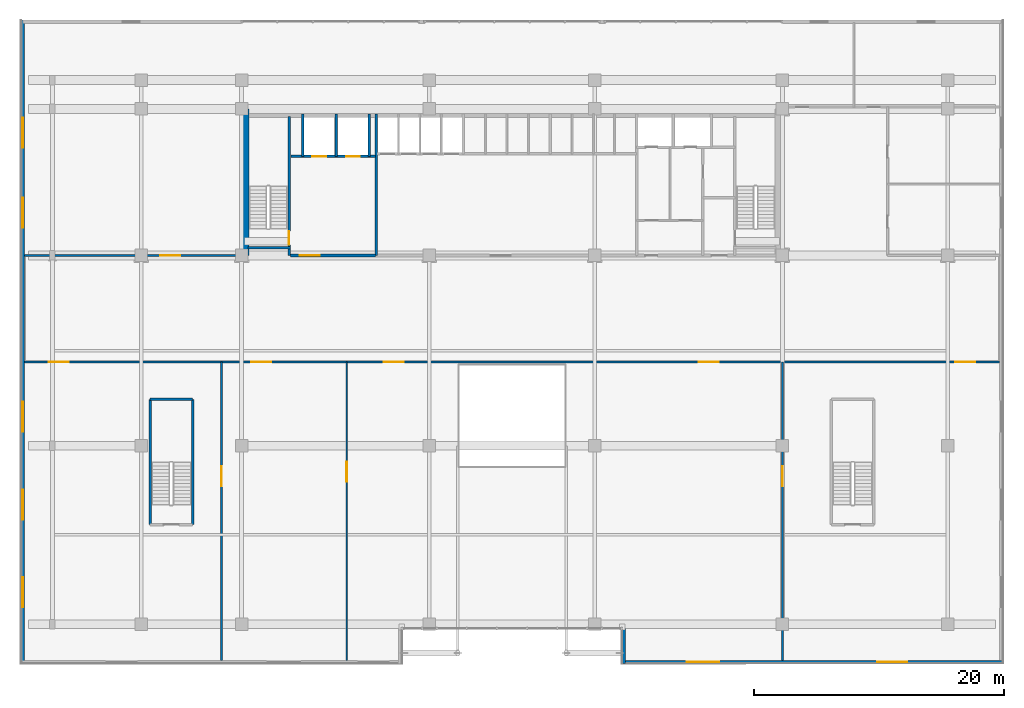
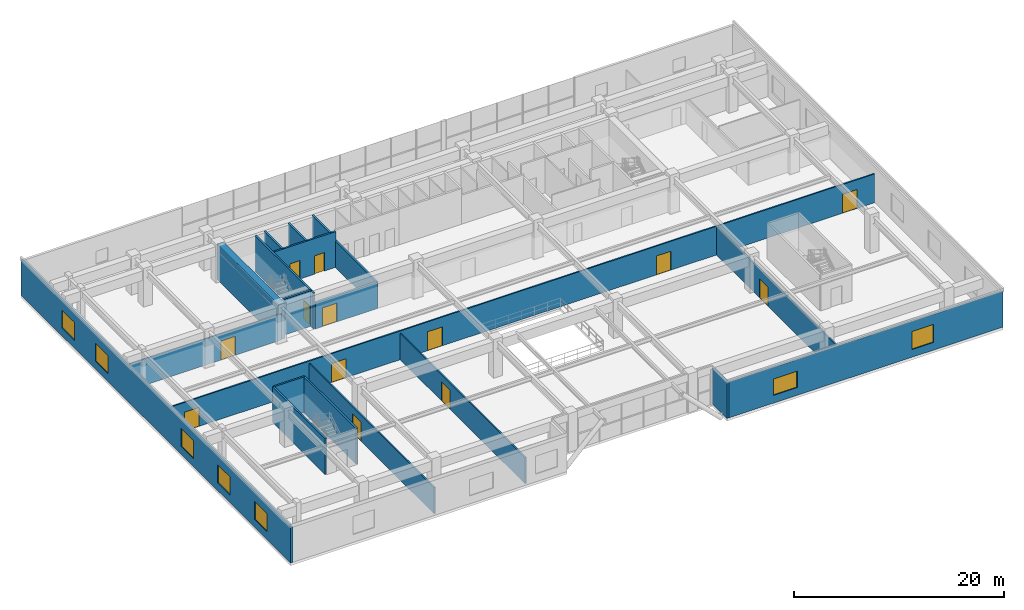
# One storey, part 13 of 21: 20 walls, 13 doors, 7 windows, 20 openings.
"""IFC4 building model written with IfcOpenShell, lengths in metres."""

from ifc_helpers import new_model, si_unit, direction, frame, frame_2d, origin, place, context, subcontext, project, spatial, rectangle, extrude, source, transform, mapped, material, layer, layer_set, type_object, element, fill, save


model = new_model("IFC4")

# Units and contexts
model_context = context("Model", 3, precision=1e-05, world=origin(), true_north=direction((0.0, 1.0)))
body_context = subcontext(model_context, "Body", "Model", "MODEL_VIEW")
ifc_project = project(units=[si_unit("LENGTHUNIT", "METRE"), si_unit("AREAUNIT", "SQUARE_METRE"), si_unit("VOLUMEUNIT", "CUBIC_METRE"), si_unit("PLANEANGLEUNIT", "RADIAN"), si_unit("MASSUNIT", "GRAM", prefix="KILO")], contexts=[model_context])

# Site, building, storey
site_placement = place(None, origin())
site = spatial("IfcSite", under=ifc_project, at=site_placement, CompositionType="ELEMENT")
building_placement = place(site_placement, origin())
building = spatial("IfcBuilding", under=site, at=building_placement, Name="Trelvane Seafront Commons", CompositionType="ELEMENT")
storey_placement = place(building_placement, frame((0.0, 0.0, 14.199951171875)))
storey = spatial("IfcBuildingStorey", under=building, at=storey_placement, Name="L03", CompositionType="ELEMENT", Elevation=14.199951171875)

# Wall, openings, windows
ifc_material_1 = material(Name="Precast concrete C40/50", Category="concrete")
ifc_layer_1 = layer(ifc_material_1, 0.260009765625, Name="ARCH-WALL-EXT260")
ifc_layer_set_1 = layer_set([ifc_layer_1], Name="Precast concrete C40/50")
wall_type_1 = type_object("IfcWallType", Name="ARCH-WALL-EXT260", PredefinedType="SOLIDWALL", material=ifc_layer_set_1)
wall_1_placement = place(storey_placement, frame((76.39990234375, 0.929931640625, 0.0), z_axis=(0.0, 0.0, 1.0), x_axis=(-1.0, 0.0, 0.0)))
wall_1 = element("IfcWall", 1, at=wall_1_placement, inside=storey, type_object=wall_type_1, Name="EW-L03-00030", PredefinedType="SOLIDWALL", context=body_context, shape_type="SweptSolid", body=[
    extrude(rectangle(XDim=30.39990234375, YDim=0.260009765625, at=frame_2d((15.199951171875, 0.0))), origin(), (0.0, 0.0, 1.0), 4.150146484375),
])
opening_1_placement = place(wall_1_placement, frame((7.64501953125, 0.0, 0.89990234375)))
opening_1 = element("IfcOpeningElement", 2, at=opening_1_placement, cuts=wall_1, Name="Opening W08", PredefinedType="OPENING", context=body_context, shape_type="SweptSolid", body=[
    extrude(rectangle(XDim=2.39990234375, YDim=2.10009765625, at=frame_2d((1.199951171875, 1.050048828125))), frame((0.0, 0.139892578125, 0.0), z_axis=(0.0, -1.0, 0.0), x_axis=(1.0, 0.0, 0.0)), (0.0, 0.0, 1.0), 0.280029296875),
])
opening_2_placement = place(wall_1_placement, frame((22.655029296875, 0.0, 0.89990234375)))
opening_2 = element("IfcOpeningElement", 3, at=opening_2_placement, cuts=wall_1, Name="Opening W04", PredefinedType="OPENING", context=body_context, shape_type="SweptSolid", body=[
    extrude(rectangle(XDim=2.60009765625, YDim=1.89990234375, at=frame_2d((1.300048828125, 0.949951171875))), frame((0.0, 0.139892578125, 0.0), z_axis=(0.0, -1.0, 0.0), x_axis=(1.0, 0.0, 0.0)), (0.0, 0.0, 1.0), 0.280029296875),
])
ifc_material_2 = material(Name="Low-E coastal double glazing", Category="glass")
window_type_1 = type_object("IfcWindowType", Name="ARCH-WIN-W08", PartitioningType="SINGLE_PANEL", PredefinedType="WINDOW", material=ifc_material_2)
shared_shape_1 = source(origin(), body_context, "Body", "SweptSolid", [
    extrude(rectangle(XDim=2.39990234375, YDim=2.10009765625, at=frame_2d((1.199951171875, 1.050048828125))), frame((0.0, 0.030029296875, 0.0), z_axis=(0.0, -1.0, 0.0), x_axis=(1.0, 0.0, 0.0)), (0.0, 0.0, 1.0), 0.06005859375),
])
window_1_placement = place(opening_1_placement, origin())
window_1 = element("IfcWindow", 4, at=window_1_placement, inside=storey, type_object=window_type_1, Name="WIN-L03-00046", OverallHeight=2.10009765625, OverallWidth=2.39990234375, PartitioningType="SINGLE_PANEL", PredefinedType="WINDOW", context=body_context, shape_type="MappedRepresentation", body=[
    mapped(shared_shape_1, transform((0.0, 0.0, 0.0), x_axis=(1.0, 0.0, 0.0), y_axis=(0.0, 1.0, 0.0), z_axis=(0.0, 0.0, 1.0), scale=1.0)),
])
fill(opening_1, window_1)
window_type_2 = type_object("IfcWindowType", Name="ARCH-WIN-W04", PartitioningType="SINGLE_PANEL", PredefinedType="WINDOW", material=ifc_material_2)
shared_shape_2 = source(origin(), body_context, "Body", "SweptSolid", [
    extrude(rectangle(XDim=2.60009765625, YDim=1.89990234375, at=frame_2d((1.300048828125, 0.949951171875))), frame((0.0, 0.030029296875, 0.0), z_axis=(0.0, -1.0, 0.0), x_axis=(1.0, 0.0, 0.0)), (0.0, 0.0, 1.0), 0.06005859375),
])
window_2_placement = place(opening_2_placement, origin())
window_2 = element("IfcWindow", 5, at=window_2_placement, inside=storey, type_object=window_type_2, Name="WIN-L03-00047", OverallHeight=1.89990234375, OverallWidth=2.60009765625, PartitioningType="SINGLE_PANEL", PredefinedType="WINDOW", context=body_context, shape_type="MappedRepresentation", body=[
    mapped(shared_shape_2, transform((0.0, 0.0, 0.0), x_axis=(1.0, 0.0, 0.0), y_axis=(0.0, 1.0, 0.0), z_axis=(0.0, 0.0, 1.0), scale=1.0)),
])
fill(opening_2, window_2)

# Wall
wall_2_placement = place(storey_placement, frame((46.1298828125, 0.800048828125, 0.0), z_axis=(0.0, 0.0, 1.0), x_axis=(0.0, 1.0, 0.0)))
element("IfcWall", 6, at=wall_2_placement, inside=storey, type_object=wall_type_1, Name="EW-L03-00031", PredefinedType="SOLIDWALL", context=body_context, shape_type="SweptSolid", body=[
    extrude(rectangle(XDim=2.800048828125, YDim=0.260009765625, at=frame_2d((1.39990234375, 0.0))), origin(), (0.0, 0.0, 1.0), 4.150146484375),
])

# Wall, openings, windows
wall_3_placement = place(storey_placement, frame((-1.8701171875, 0.800048828125, 0.0), z_axis=(0.0, 0.0, 1.0), x_axis=(0.0, 1.0, 0.0)))
wall_3 = element("IfcWall", 7, at=wall_3_placement, inside=storey, type_object=wall_type_1, Name="EW-L03-00034", PredefinedType="SOLIDWALL", context=body_context, shape_type="SweptSolid", body=[
    extrude(rectangle(XDim=51.39990234375, YDim=0.260009765625, at=frame_2d((25.699951171875, 0.0))), origin(), (0.0, 0.0, 1.0), 4.150146484375),
])
opening_3_placement = place(wall_3_placement, frame((4.5, 0.0, 0.919921875)))
opening_3 = element("IfcOpeningElement", 8, at=opening_3_placement, cuts=wall_3, Name="Opening W08", PredefinedType="OPENING", context=body_context, shape_type="SweptSolid", body=[
    extrude(rectangle(XDim=2.39990234375, YDim=2.10009765625, at=frame_2d((1.199951171875, 1.050048828125))), frame((0.0, 0.139892578125, 0.0), z_axis=(0.0, -1.0, 0.0), x_axis=(1.0, 0.0, 0.0)), (0.0, 0.0, 1.0), 0.280029296875),
])
opening_4_placement = place(wall_3_placement, frame((11.5, 0.0, 0.919921875)))
opening_4 = element("IfcOpeningElement", 9, at=opening_4_placement, cuts=wall_3, Name="Opening W08", PredefinedType="OPENING", context=body_context, shape_type="SweptSolid", body=[
    extrude(rectangle(XDim=2.39990234375, YDim=2.10009765625, at=frame_2d((1.199951171875, 1.050048828125))), frame((0.0, 0.139892578125, 0.0), z_axis=(0.0, -1.0, 0.0), x_axis=(1.0, 0.0, 0.0)), (0.0, 0.0, 1.0), 0.280029296875),
])
opening_5_placement = place(wall_3_placement, frame((18.5, 0.0, 0.919921875)))
opening_5 = element("IfcOpeningElement", 10, at=opening_5_placement, cuts=wall_3, Name="Opening W08", PredefinedType="OPENING", context=body_context, shape_type="SweptSolid", body=[
    extrude(rectangle(XDim=2.39990234375, YDim=2.10009765625, at=frame_2d((1.199951171875, 1.050048828125))), frame((0.0, 0.139892578125, 0.0), z_axis=(0.0, -1.0, 0.0), x_axis=(1.0, 0.0, 0.0)), (0.0, 0.0, 1.0), 0.280029296875),
])
opening_6_placement = place(wall_3_placement, frame((34.800048828125, 0.0, 0.919921875)))
opening_6 = element("IfcOpeningElement", 11, at=opening_6_placement, cuts=wall_3, Name="Opening W08", PredefinedType="OPENING", context=body_context, shape_type="SweptSolid", body=[
    extrude(rectangle(XDim=2.39990234375, YDim=2.10009765625, at=frame_2d((1.199951171875, 1.050048828125))), frame((0.0, 0.139892578125, 0.0), z_axis=(0.0, -1.0, 0.0), x_axis=(1.0, 0.0, 0.0)), (0.0, 0.0, 1.0), 0.280029296875),
])
opening_7_placement = place(wall_3_placement, frame((41.199951171875, 0.0, 0.919921875)))
opening_7 = element("IfcOpeningElement", 12, at=opening_7_placement, cuts=wall_3, Name="Opening W08", PredefinedType="OPENING", context=body_context, shape_type="SweptSolid", body=[
    extrude(rectangle(XDim=2.39990234375, YDim=2.10009765625, at=frame_2d((1.199951171875, 1.050048828125))), frame((0.0, 0.139892578125, 0.0), z_axis=(0.0, -1.0, 0.0), x_axis=(1.0, 0.0, 0.0)), (0.0, 0.0, 1.0), 0.280029296875),
])
window_3_placement = place(opening_3_placement, origin())
window_3 = element("IfcWindow", 13, at=window_3_placement, inside=storey, type_object=window_type_1, Name="WIN-L03-EW-00051", OverallHeight=2.10009765625, OverallWidth=2.39990234375, PartitioningType="SINGLE_PANEL", PredefinedType="WINDOW", context=body_context, shape_type="MappedRepresentation", body=[
    mapped(shared_shape_1, transform((0.0, 0.0, 0.0), x_axis=(1.0, 0.0, 0.0), y_axis=(0.0, 1.0, 0.0), z_axis=(0.0, 0.0, 1.0), scale=1.0)),
])
fill(opening_3, window_3)
window_4_placement = place(opening_4_placement, origin())
window_4 = element("IfcWindow", 14, at=window_4_placement, inside=storey, type_object=window_type_1, Name="WIN-L03-EW-00052", OverallHeight=2.10009765625, OverallWidth=2.39990234375, PartitioningType="SINGLE_PANEL", PredefinedType="WINDOW", context=body_context, shape_type="MappedRepresentation", body=[
    mapped(shared_shape_1, transform((0.0, 0.0, 0.0), x_axis=(1.0, 0.0, 0.0), y_axis=(0.0, 1.0, 0.0), z_axis=(0.0, 0.0, 1.0), scale=1.0)),
])
fill(opening_4, window_4)
window_5_placement = place(opening_5_placement, origin())
window_5 = element("IfcWindow", 15, at=window_5_placement, inside=storey, type_object=window_type_1, Name="WIN-L03-EW-00053", OverallHeight=2.10009765625, OverallWidth=2.39990234375, PartitioningType="SINGLE_PANEL", PredefinedType="WINDOW", context=body_context, shape_type="MappedRepresentation", body=[
    mapped(shared_shape_1, transform((0.0, 0.0, 0.0), x_axis=(1.0, 0.0, 0.0), y_axis=(0.0, 1.0, 0.0), z_axis=(0.0, 0.0, 1.0), scale=1.0)),
])
fill(opening_5, window_5)
window_6_placement = place(opening_6_placement, origin())
window_6 = element("IfcWindow", 16, at=window_6_placement, inside=storey, type_object=window_type_1, Name="WIN-L03-EW-00054", OverallHeight=2.10009765625, OverallWidth=2.39990234375, PartitioningType="SINGLE_PANEL", PredefinedType="WINDOW", context=body_context, shape_type="MappedRepresentation", body=[
    mapped(shared_shape_1, transform((0.0, 0.0, 0.0), x_axis=(1.0, 0.0, 0.0), y_axis=(0.0, 1.0, 0.0), z_axis=(0.0, 0.0, 1.0), scale=1.0)),
])
fill(opening_6, window_6)
window_7_placement = place(opening_7_placement, origin())
window_7 = element("IfcWindow", 17, at=window_7_placement, inside=storey, type_object=window_type_1, Name="WIN-L03-EW-00055", OverallHeight=2.10009765625, OverallWidth=2.39990234375, PartitioningType="SINGLE_PANEL", PredefinedType="WINDOW", context=body_context, shape_type="MappedRepresentation", body=[
    mapped(shared_shape_1, transform((0.0, 0.0, 0.0), x_axis=(1.0, 0.0, 0.0), y_axis=(0.0, 1.0, 0.0), z_axis=(0.0, 0.0, 1.0), scale=1.0)),
])
fill(opening_7, window_7)

# Wall, opening, door
ifc_material_3 = material(Name="Concrete C40/50", Category="concrete")
ifc_layer_2 = layer(ifc_material_3, 0.25, Name="ARCH-WALL-FIRE250")
ifc_layer_set_2 = layer_set([ifc_layer_2], Name="Concrete C40/50")
wall_type_2 = type_object("IfcWallType", Name="ARCH-WALL-FIRE250", PredefinedType="PARTITIONING", material=ifc_layer_set_2)
wall_4_placement = place(storey_placement, frame((19.5, 33.39990234375, 0.0), z_axis=(0.0, 0.0, 1.0), x_axis=(1.0, 0.0, 0.0)))
wall_4 = element("IfcWall", 18, at=wall_4_placement, inside=storey, type_object=wall_type_2, Name="W-L03-CS-FFL-021", PredefinedType="PARTITIONING", context=body_context, shape_type="SweptSolid", body=[
    extrude(rectangle(XDim=6.800048828125, YDim=0.25, at=frame_2d((3.39990234375, 0.0))), origin(), (0.0, 0.0, 1.0), 3.050048828125),
])
opening_8_placement = place(wall_4_placement, frame((0.75, 0.0, 0.0)))
opening_8 = element("IfcOpeningElement", 19, at=opening_8_placement, cuts=wall_4, Name="Opening FD-L03-07", PredefinedType="OPENING", context=body_context, shape_type="SweptSolid", body=[
    extrude(rectangle(XDim=1.60009765625, YDim=2.199951171875, at=frame_2d((0.800048828125, 1.10009765625))), frame((0.0, 0.135009765625, 0.0), z_axis=(0.0, -1.0, 0.0), x_axis=(1.0, 0.0, 0.0)), (0.0, 0.0, 1.0), 0.27001953125),
])
ifc_material_4 = material(Name="Powder-coated aluminium frame", Category="aluminium")
door_type_1 = type_object("IfcDoorType", Name="ARCH-DR-FD60-1600", OperationType="DOUBLE_DOOR_SINGLE_SWING", PredefinedType="DOOR", material=ifc_material_4)
shared_shape_3 = source(origin(), body_context, "Body", "SweptSolid", [
    extrude(rectangle(XDim=1.60009765625, YDim=2.199951171875, at=frame_2d((0.800048828125, 1.10009765625))), frame((0.0, 0.02490234375, 0.0), z_axis=(0.0, -1.0, 0.0), x_axis=(1.0, 0.0, 0.0)), (0.0, 0.0, 1.0), 0.050048828125),
])
door_1_placement = place(opening_8_placement, origin())
door_1 = element("IfcDoor", 20, at=door_1_placement, inside=storey, type_object=door_type_1, Name="L03 Firefighting Lift Lobby Double Fire Door", OperationType="DOUBLE_DOOR_SINGLE_SWING", OverallHeight=2.199951171875, OverallWidth=1.60009765625, PredefinedType="DOOR", context=body_context, shape_type="MappedRepresentation", body=[
    mapped(shared_shape_3, transform((0.0, 0.0, 0.0), x_axis=(1.0, 0.0, 0.0), y_axis=(0.0, 1.0, 0.0), z_axis=(0.0, 0.0, 1.0), scale=1.0)),
])
fill(opening_8, door_1)

ifc_material_5 = material(Name="Gypsum Drywall Acoustic Partition")
ifc_layer_3 = layer(ifc_material_5, 0.14990234375, Name="ARCH-WALL-PART150")
ifc_layer_set_3 = layer_set([ifc_layer_3], Name="Gypsum Drywall Acoustic Partition")
wall_type_3 = type_object("IfcWallType", Name="ARCH-WALL-PART150", PredefinedType="PARTITIONING", material=ifc_layer_set_3)
wall_5_placement = place(storey_placement, frame((-1.75, 33.39990234375, 0.0), z_axis=(0.0, 0.0, 1.0), x_axis=(1.0, 0.0, 0.0)))
wall_5 = element("IfcWall", 21, at=wall_5_placement, inside=storey, type_object=wall_type_3, Name="W-L03-POD-NW-S-046", PredefinedType="PARTITIONING", context=body_context, shape_type="SweptSolid", body=[
    extrude(rectangle(XDim=17.550048828125, YDim=0.14990234375, at=frame_2d((8.77490234375, 0.0))), origin(), (0.0, 0.0, 1.0), 3.050048828125),
])
opening_9_placement = place(wall_5_placement, frame((10.867919921875, 0.0, 0.0)))
opening_9 = element("IfcOpeningElement", 22, at=opening_9_placement, cuts=wall_5, Name="Opening D-L03-20", PredefinedType="OPENING", context=body_context, shape_type="SweptSolid", body=[
    extrude(rectangle(XDim=1.60009765625, YDim=2.199951171875, at=frame_2d((0.800048828125, 1.10009765625))), frame((0.0, 0.0849609375, 0.0), z_axis=(0.0, -1.0, 0.0), x_axis=(1.0, 0.0, 0.0)), (0.0, 0.0, 1.0), 0.169921875),
])
ifc_material_6 = material(Name="Acoustic timber door leaf", Category="wood")
door_type_2 = type_object("IfcDoorType", Name="ARCH-DR-GLZ1600", OperationType="DOUBLE_DOOR_SINGLE_SWING", PredefinedType="DOOR", material=ifc_material_6)
door_2_placement = place(opening_9_placement, origin())
door_2 = element("IfcDoor", 23, at=door_2_placement, inside=storey, type_object=door_type_2, Name="L03 West Study Suite Door", OperationType="DOUBLE_DOOR_SINGLE_SWING", OverallHeight=2.199951171875, OverallWidth=1.60009765625, PredefinedType="DOOR", context=body_context, shape_type="MappedRepresentation", body=[
    mapped(shared_shape_3, transform((0.0, 0.0, 0.0), x_axis=(1.0, 0.0, 0.0), y_axis=(0.0, 1.0, 0.0), z_axis=(0.0, 0.0, 1.0), scale=1.0)),
])
fill(opening_9, door_2)

# Wall, openings, doors
wall_6_placement = place(storey_placement, frame((-1.75, 24.89990234375, 0.0), z_axis=(0.0, 0.0, 1.0), x_axis=(1.0, 0.0, 0.0)))
wall_6 = element("IfcWall", 24, at=wall_6_placement, inside=storey, type_object=wall_type_3, Name="W-L03-POD-SPINE-052", PredefinedType="PARTITIONING", context=body_context, shape_type="SweptSolid", body=[
    extrude(rectangle(XDim=77.89990234375, YDim=0.14990234375, at=frame_2d((38.949951171875, 0.0))), origin(), (0.0, 0.0, 1.0), 3.35009765625),
])
opening_10_placement = place(wall_6_placement, frame((1.951904296875, 0.0, 0.0)))
opening_10 = element("IfcOpeningElement", 25, at=opening_10_placement, cuts=wall_6, Name="Opening D-L03-25", PredefinedType="OPENING", context=body_context, shape_type="SweptSolid", body=[
    extrude(rectangle(XDim=1.60009765625, YDim=2.199951171875, at=frame_2d((0.800048828125, 1.10009765625))), frame((0.0, 0.0849609375, 0.0), z_axis=(0.0, -1.0, 0.0), x_axis=(1.0, 0.0, 0.0)), (0.0, 0.0, 1.0), 0.169921875),
])
opening_11_placement = place(wall_6_placement, frame((18.139892578125, 0.0, 0.0)))
opening_11 = element("IfcOpeningElement", 26, at=opening_11_placement, cuts=wall_6, Name="Opening D-L03-26", PredefinedType="OPENING", context=body_context, shape_type="SweptSolid", body=[
    extrude(rectangle(XDim=1.60009765625, YDim=2.199951171875, at=frame_2d((0.800048828125, 1.10009765625))), frame((0.0, 0.0849609375, 0.0), z_axis=(0.0, -1.0, 0.0), x_axis=(1.0, 0.0, 0.0)), (0.0, 0.0, 1.0), 0.169921875),
])
opening_12_placement = place(wall_6_placement, frame((28.7099609375, 0.0, 0.0)))
opening_12 = element("IfcOpeningElement", 27, at=opening_12_placement, cuts=wall_6, Name="Opening D-L03-27", PredefinedType="OPENING", context=body_context, shape_type="SweptSolid", body=[
    extrude(rectangle(XDim=1.60009765625, YDim=2.199951171875, at=frame_2d((0.800048828125, 1.10009765625))), frame((0.0, 0.0849609375, 0.0), z_axis=(0.0, -1.0, 0.0), x_axis=(1.0, 0.0, 0.0)), (0.0, 0.0, 1.0), 0.169921875),
])
opening_13_placement = place(wall_6_placement, frame((53.85693359375, 0.0, 0.0)))
opening_13 = element("IfcOpeningElement", 28, at=opening_13_placement, cuts=wall_6, Name="Opening D-L03-28", PredefinedType="OPENING", context=body_context, shape_type="SweptSolid", body=[
    extrude(rectangle(XDim=1.60009765625, YDim=2.199951171875, at=frame_2d((0.800048828125, 1.10009765625))), frame((0.0, 0.0849609375, 0.0), z_axis=(0.0, -1.0, 0.0), x_axis=(1.0, 0.0, 0.0)), (0.0, 0.0, 1.0), 0.169921875),
])
opening_14_placement = place(wall_6_placement, frame((74.35107421875, 0.0, 0.0)))
opening_14 = element("IfcOpeningElement", 29, at=opening_14_placement, cuts=wall_6, Name="Opening D-L03-29", PredefinedType="OPENING", context=body_context, shape_type="SweptSolid", body=[
    extrude(rectangle(XDim=1.60009765625, YDim=2.199951171875, at=frame_2d((0.800048828125, 1.10009765625))), frame((0.0, 0.0849609375, 0.0), z_axis=(0.0, -1.0, 0.0), x_axis=(1.0, 0.0, 0.0)), (0.0, 0.0, 1.0), 0.169921875),
])
door_3_placement = place(opening_10_placement, origin())
door_3 = element("IfcDoor", 30, at=door_3_placement, inside=storey, type_object=door_type_2, Name="L03 Door 25", OperationType="DOUBLE_DOOR_SINGLE_SWING", OverallHeight=2.199951171875, OverallWidth=1.60009765625, PredefinedType="DOOR", context=body_context, shape_type="MappedRepresentation", body=[
    mapped(shared_shape_3, transform((0.0, 0.0, 0.0), x_axis=(1.0, 0.0, 0.0), y_axis=(0.0, 1.0, 0.0), z_axis=(0.0, 0.0, 1.0), scale=1.0)),
])
fill(opening_10, door_3)
door_4_placement = place(opening_11_placement, origin())
door_4 = element("IfcDoor", 31, at=door_4_placement, inside=storey, type_object=door_type_2, Name="L03 Door 26", OperationType="DOUBLE_DOOR_SINGLE_SWING", OverallHeight=2.199951171875, OverallWidth=1.60009765625, PredefinedType="DOOR", context=body_context, shape_type="MappedRepresentation", body=[
    mapped(shared_shape_3, transform((0.0, 0.0, 0.0), x_axis=(1.0, 0.0, 0.0), y_axis=(0.0, 1.0, 0.0), z_axis=(0.0, 0.0, 1.0), scale=1.0)),
])
fill(opening_11, door_4)
door_5_placement = place(opening_12_placement, origin())
door_5 = element("IfcDoor", 32, at=door_5_placement, inside=storey, type_object=door_type_2, Name="L03 Door 27", OperationType="DOUBLE_DOOR_SINGLE_SWING", OverallHeight=2.199951171875, OverallWidth=1.60009765625, PredefinedType="DOOR", context=body_context, shape_type="MappedRepresentation", body=[
    mapped(shared_shape_3, transform((0.0, 0.0, 0.0), x_axis=(1.0, 0.0, 0.0), y_axis=(0.0, 1.0, 0.0), z_axis=(0.0, 0.0, 1.0), scale=1.0)),
])
fill(opening_12, door_5)
door_6_placement = place(opening_13_placement, origin())
door_6 = element("IfcDoor", 33, at=door_6_placement, inside=storey, type_object=door_type_2, Name="L03 Door 28", OperationType="DOUBLE_DOOR_SINGLE_SWING", OverallHeight=2.199951171875, OverallWidth=1.60009765625, PredefinedType="DOOR", context=body_context, shape_type="MappedRepresentation", body=[
    mapped(shared_shape_3, transform((0.0, 0.0, 0.0), x_axis=(1.0, 0.0, 0.0), y_axis=(0.0, 1.0, 0.0), z_axis=(0.0, 0.0, 1.0), scale=1.0)),
])
fill(opening_13, door_6)
door_7_placement = place(opening_14_placement, origin())
door_7 = element("IfcDoor", 34, at=door_7_placement, inside=storey, type_object=door_type_2, Name="L03 Door 29", OperationType="DOUBLE_DOOR_SINGLE_SWING", OverallHeight=2.199951171875, OverallWidth=1.60009765625, PredefinedType="DOOR", context=body_context, shape_type="MappedRepresentation", body=[
    mapped(shared_shape_3, transform((0.0, 0.0, 0.0), x_axis=(1.0, 0.0, 0.0), y_axis=(0.0, 1.0, 0.0), z_axis=(0.0, 0.0, 1.0), scale=1.0)),
])
fill(opening_14, door_7)

# Wall, opening, door
wall_7_placement = place(storey_placement, frame((14.0, 1.050048828125, 0.0), z_axis=(0.0, 0.0, 1.0), x_axis=(0.0, 1.0, 0.0)))
wall_7 = element("IfcWall", 35, at=wall_7_placement, inside=storey, type_object=wall_type_3, Name="W-L03-POD-DIV-1-053", PredefinedType="PARTITIONING", context=body_context, shape_type="SweptSolid", body=[
    extrude(rectangle(XDim=23.849853515625, YDim=0.14990234375, at=frame_2d((11.9248046875, 0.0))), origin(), (0.0, 0.0, 1.0), 3.050048828125),
])
opening_15_placement = place(wall_7_placement, frame((13.924072265625, 0.0, 0.0)))
opening_15 = element("IfcOpeningElement", 36, at=opening_15_placement, cuts=wall_7, Name="Opening D-L03-30", PredefinedType="OPENING", context=body_context, shape_type="SweptSolid", body=[
    extrude(rectangle(XDim=1.60009765625, YDim=2.199951171875, at=frame_2d((0.800048828125, 1.10009765625))), frame((0.0, 0.0849609375, 0.0), z_axis=(0.0, -1.0, 0.0), x_axis=(1.0, 0.0, 0.0)), (0.0, 0.0, 1.0), 0.169921875),
])
door_8_placement = place(opening_15_placement, origin())
door_8 = element("IfcDoor", 37, at=door_8_placement, inside=storey, type_object=door_type_2, Name="L03 Door 30", OperationType="DOUBLE_DOOR_SINGLE_SWING", OverallHeight=2.199951171875, OverallWidth=1.60009765625, PredefinedType="DOOR", context=body_context, shape_type="MappedRepresentation", body=[
    mapped(shared_shape_3, transform((0.0, 0.0, 0.0), x_axis=(1.0, 0.0, 0.0), y_axis=(0.0, 1.0, 0.0), z_axis=(0.0, 0.0, 1.0), scale=1.0)),
])
fill(opening_15, door_8)

wall_8_placement = place(storey_placement, frame((24.0, 1.050048828125, 0.0), z_axis=(0.0, 0.0, 1.0), x_axis=(0.0, 1.0, 0.0)))
wall_8 = element("IfcWall", 38, at=wall_8_placement, inside=storey, type_object=wall_type_3, Name="W-L03-POD-DIV-2-054", PredefinedType="PARTITIONING", context=body_context, shape_type="SweptSolid", body=[
    extrude(rectangle(XDim=23.849853515625, YDim=0.14990234375, at=frame_2d((11.9248046875, 0.0))), origin(), (0.0, 0.0, 1.0), 3.050048828125),
])
opening_16_placement = place(wall_8_placement, frame((14.284912109375, 0.0, 0.0)))
opening_16 = element("IfcOpeningElement", 39, at=opening_16_placement, cuts=wall_8, Name="Opening D-L03-31", PredefinedType="OPENING", context=body_context, shape_type="SweptSolid", body=[
    extrude(rectangle(XDim=1.60009765625, YDim=2.199951171875, at=frame_2d((0.800048828125, 1.10009765625))), frame((0.0, 0.0849609375, 0.0), z_axis=(0.0, -1.0, 0.0), x_axis=(1.0, 0.0, 0.0)), (0.0, 0.0, 1.0), 0.169921875),
])
door_9_placement = place(opening_16_placement, origin())
door_9 = element("IfcDoor", 40, at=door_9_placement, inside=storey, type_object=door_type_2, Name="L03 Door 31", OperationType="DOUBLE_DOOR_SINGLE_SWING", OverallHeight=2.199951171875, OverallWidth=1.60009765625, PredefinedType="DOOR", context=body_context, shape_type="MappedRepresentation", body=[
    mapped(shared_shape_3, transform((0.0, 0.0, 0.0), x_axis=(1.0, 0.0, 0.0), y_axis=(0.0, 1.0, 0.0), z_axis=(0.0, 0.0, 1.0), scale=1.0)),
])
fill(opening_16, door_9)

wall_9_placement = place(storey_placement, frame((58.800048828125, 1.050048828125, 0.0), z_axis=(0.0, 0.0, 1.0), x_axis=(0.0, 1.0, 0.0)))
wall_9 = element("IfcWall", 41, at=wall_9_placement, inside=storey, type_object=wall_type_3, Name="W-L03-POD-DIV-4-055", PredefinedType="PARTITIONING", context=body_context, shape_type="SweptSolid", body=[
    extrude(rectangle(XDim=23.849853515625, YDim=0.14990234375, at=frame_2d((11.9248046875, 0.0))), origin(), (0.0, 0.0, 1.0), 3.35009765625),
])
opening_17_placement = place(wall_9_placement, frame((13.924072265625, 0.0, 0.0)))
opening_17 = element("IfcOpeningElement", 42, at=opening_17_placement, cuts=wall_9, Name="Opening D-L03-32", PredefinedType="OPENING", context=body_context, shape_type="SweptSolid", body=[
    extrude(rectangle(XDim=1.60009765625, YDim=2.199951171875, at=frame_2d((0.800048828125, 1.10009765625))), frame((0.0, 0.0849609375, 0.0), z_axis=(0.0, -1.0, 0.0), x_axis=(1.0, 0.0, 0.0)), (0.0, 0.0, 1.0), 0.169921875),
])
door_10_placement = place(opening_17_placement, origin())
door_10 = element("IfcDoor", 43, at=door_10_placement, inside=storey, type_object=door_type_2, Name="L03 Door 32", OperationType="DOUBLE_DOOR_SINGLE_SWING", OverallHeight=2.199951171875, OverallWidth=1.60009765625, PredefinedType="DOOR", context=body_context, shape_type="MappedRepresentation", body=[
    mapped(shared_shape_3, transform((0.0, 0.0, 0.0), x_axis=(1.0, 0.0, 0.0), y_axis=(0.0, 1.0, 0.0), z_axis=(0.0, 0.0, 1.0), scale=1.0)),
])
fill(opening_17, door_10)

# Wall, openings, doors
ifc_layer_4 = layer(ifc_material_3, 0.199951171875, Name="ARCH-WALL-SHAFT200")
ifc_layer_set_4 = layer_set([ifc_layer_4], Name="Concrete C40/50")
wall_type_4 = type_object("IfcWallType", Name="ARCH-WALL-SHAFT200", PredefinedType="SOLIDWALL", material=ifc_layer_set_4)
wall_10_placement = place(storey_placement, frame((19.550048828125, 41.300048828125, 0.0), z_axis=(0.0, 0.0, 1.0), x_axis=(1.0, 0.0, 0.0)))
wall_10 = element("IfcWall", 44, at=wall_10_placement, inside=storey, type_object=wall_type_4, Name="W-L03-FFL-FRONT-016", PredefinedType="SOLIDWALL", context=body_context, shape_type="SweptSolid", body=[
    extrude(rectangle(XDim=6.75, YDim=0.199951171875, at=frame_2d((3.375, 0.0))), origin(), (0.0, 0.0, 1.0), 4.150146484375),
])
opening_18_placement = place(wall_10_placement, frame((1.699951171875, 0.0, 0.0)))
opening_18 = element("IfcOpeningElement", 45, at=opening_18_placement, cuts=wall_10, Name="Opening LD-FF1-L03", PredefinedType="OPENING", context=body_context, shape_type="SweptSolid", body=[
    extrude(rectangle(XDim=1.10009765625, YDim=2.14990234375, at=frame_2d((0.550048828125, 1.074951171875))), frame((0.0, 0.10986328125, 0.0), z_axis=(0.0, -1.0, 0.0), x_axis=(1.0, 0.0, 0.0)), (0.0, 0.0, 1.0), 0.219970703125),
])
opening_19_placement = place(wall_10_placement, frame((4.39990234375, 0.0, 0.0)))
opening_19 = element("IfcOpeningElement", 46, at=opening_19_placement, cuts=wall_10, Name="Opening LD-FF2-L03", PredefinedType="OPENING", context=body_context, shape_type="SweptSolid", body=[
    extrude(rectangle(XDim=1.10009765625, YDim=2.14990234375, at=frame_2d((0.550048828125, 1.074951171875))), frame((0.0, 0.10986328125, 0.0), z_axis=(0.0, -1.0, 0.0), x_axis=(1.0, 0.0, 0.0)), (0.0, 0.0, 1.0), 0.219970703125),
])
ifc_material_7 = material(Name="Stainless steel balustrade", Category="steel")
door_type_3 = type_object("IfcDoorType", Name="ARCH-DR-LD1100", OperationType="DOUBLE_DOOR_SLIDING", PredefinedType="DOOR", material=ifc_material_7)
shared_shape_4 = source(origin(), body_context, "Body", "SweptSolid", [
    extrude(rectangle(XDim=1.10009765625, YDim=2.14990234375, at=frame_2d((0.550048828125, 1.074951171875))), frame((0.0, 0.02490234375, 0.0), z_axis=(0.0, -1.0, 0.0), x_axis=(1.0, 0.0, 0.0)), (0.0, 0.0, 1.0), 0.050048828125),
])
door_11_placement = place(opening_18_placement, origin())
door_11 = element("IfcDoor", 47, at=door_11_placement, inside=storey, type_object=door_type_3, Name="L03 Firefighting Lift FFL-1 Landing Door", OperationType="DOUBLE_DOOR_SLIDING", OverallHeight=2.14990234375, OverallWidth=1.10009765625, PredefinedType="DOOR", context=body_context, shape_type="MappedRepresentation", body=[
    mapped(shared_shape_4, transform((0.0, 0.0, 0.0), x_axis=(1.0, 0.0, 0.0), y_axis=(0.0, 1.0, 0.0), z_axis=(0.0, 0.0, 1.0), scale=1.0)),
])
fill(opening_18, door_11)
door_12_placement = place(opening_19_placement, origin())
door_12 = element("IfcDoor", 48, at=door_12_placement, inside=storey, type_object=door_type_3, Name="L03 Firefighting Lift FFL-2 Landing Door", OperationType="DOUBLE_DOOR_SLIDING", OverallHeight=2.14990234375, OverallWidth=1.10009765625, PredefinedType="DOOR", context=body_context, shape_type="MappedRepresentation", body=[
    mapped(shared_shape_4, transform((0.0, 0.0, 0.0), x_axis=(1.0, 0.0, 0.0), y_axis=(0.0, 1.0, 0.0), z_axis=(0.0, 0.0, 1.0), scale=1.0)),
])
fill(opening_19, door_12)

# Walls
for number, where, z_axis, x_axis, name in (
    (49, (20.5, 41.300048828125, 0.0), (0.0, 0.0, 1.0), (0.0, 1.0, 0.0), "W-L03-FFL-SH-W-017"),
    (50, (23.14990234375, 41.300048828125, 0.0), (0.0, 0.0, 1.0), (0.0, 1.0, 0.0), "W-L03-FFL-DIV-018"),
    (51, (25.800048828125, 41.300048828125, 0.0), (0.0, 0.0, 1.0), (0.0, 1.0, 0.0), "W-L03-FFL-SH-E-019"),
):
    element("IfcWall", number, at=place(storey_placement, frame(where, z_axis=z_axis, x_axis=x_axis)), inside=storey, type_object=wall_type_4, Name=name, PredefinedType="SOLIDWALL", context=body_context, shape_type="SweptSolid", body=[
        extrude(rectangle(XDim=3.39990234375, YDim=0.199951171875, at=frame_2d((1.699951171875, 0.0))), origin(), (0.0, 0.0, 1.0), 4.150146484375),
    ])
wall_11_placement = place(storey_placement, frame((26.35009765625, 33.39990234375, 0.0), z_axis=(0.0, 0.0, 1.0), x_axis=(0.0, 1.0, 0.0)))
element("IfcWall", 52, at=wall_11_placement, inside=storey, type_object=wall_type_4, Name="W-L03-FFL-EAST-020", PredefinedType="SOLIDWALL", context=body_context, shape_type="SweptSolid", body=[
    extrude(rectangle(XDim=11.300048828125, YDim=0.199951171875, at=frame_2d((5.64990234375, 0.0))), origin(), (0.0, 0.0, 1.0), 3.050048828125),
])
ifc_material_8 = material(Name="Concrete C60/75", Category="concrete")
ifc_layer_5 = layer(ifc_material_8, 0.699951171875, Name="STR-WALL-CORE700")
ifc_layer_set_5 = layer_set([ifc_layer_5], Name="Concrete C60/75")
wall_type_5 = type_object("IfcWallType", Name="STR-WALL-CORE700", PredefinedType="SHEAR", material=ifc_layer_set_5)
wall_12_placement = place(storey_placement, frame((15.85009765625, 33.39990234375, 0.0), z_axis=(0.0, 0.0, 1.0), x_axis=(0.0, 1.0, 0.0)))
element("IfcWall", 53, at=wall_12_placement, inside=storey, type_object=wall_type_5, Name="W-L03-CW-END-002", PredefinedType="SHEAR", context=body_context, shape_type="SweptSolid", body=[
    extrude(rectangle(XDim=11.7001953125, YDim=0.699951171875, at=frame_2d((5.85009765625, 0.0))), origin(), (0.0, 0.0, 1.0), 4.150146484375),
])
ifc_material_9 = material(Name="Concrete C50/60", Category="concrete")
ifc_layer_6 = layer(ifc_material_9, 0.199951171875, Name="STR-WALL-STAIR200")
ifc_layer_set_6 = layer_set([ifc_layer_6], Name="Concrete C50/60")
wall_type_6 = type_object("IfcWallType", Name="STR-WALL-STAIR200", PredefinedType="SHEAR", material=ifc_layer_set_6)
wall_13_placement = place(storey_placement, frame((16.10009765625, 34.0, 0.0), z_axis=(0.0, 0.0, 1.0), x_axis=(1.0, 0.0, 0.0)))
element("IfcWall", 54, at=wall_13_placement, inside=storey, type_object=wall_type_6, Name="W-L03-ST1-S-004", PredefinedType="SHEAR", context=body_context, shape_type="SweptSolid", body=[
    extrude(rectangle(XDim=3.39990234375, YDim=0.199951171875, at=frame_2d((1.699951171875, 0.0))), origin(), (0.0, 0.0, 1.0), 4.150146484375),
])

# Wall, opening, door
wall_14_placement = place(storey_placement, frame((19.39990234375, 33.39990234375, 0.0), z_axis=(0.0, 0.0, 1.0), x_axis=(0.0, 1.0, 0.0)))
wall_14 = element("IfcWall", 55, at=wall_14_placement, inside=storey, type_object=wall_type_6, Name="W-L03-ST1-E-005", PredefinedType="SHEAR", context=body_context, shape_type="SweptSolid", body=[
    extrude(rectangle(XDim=11.10009765625, YDim=0.199951171875, at=frame_2d((5.550048828125, 0.0))), origin(), (0.0, 0.0, 1.0), 4.150146484375),
])
opening_20_placement = place(wall_14_placement, frame((0.85009765625, 0.0, 0.0)))
opening_20 = element("IfcOpeningElement", 56, at=opening_20_placement, cuts=wall_14, Name="Opening ST-D1-L03", PredefinedType="OPENING", context=body_context, shape_type="SweptSolid", body=[
    extrude(rectangle(XDim=1.10009765625, YDim=2.14990234375, at=frame_2d((0.550048828125, 1.074951171875))), frame((0.0, 0.10986328125, 0.0), z_axis=(0.0, -1.0, 0.0), x_axis=(1.0, 0.0, 0.0)), (0.0, 0.0, 1.0), 0.219970703125),
])
door_type_4 = type_object("IfcDoorType", Name="ARCH-DR-FD90-1100", OperationType="NOTDEFINED", PredefinedType="DOOR", material=ifc_material_4)
door_13_placement = place(opening_20_placement, origin())
door_13 = element("IfcDoor", 57, at=door_13_placement, inside=storey, type_object=door_type_4, Name="L03 Stair ST-1 Lobby Fire Door", OperationType="SINGLE_SWING_LEFT", OverallHeight=2.14990234375, OverallWidth=1.10009765625, PredefinedType="DOOR", context=body_context, shape_type="MappedRepresentation", body=[
    mapped(shared_shape_4, transform((0.0, 0.0, 0.0), x_axis=(1.0, 0.0, 0.0), y_axis=(0.0, 1.0, 0.0), z_axis=(0.0, 0.0, 1.0), scale=1.0)),
])
fill(opening_20, door_13)

# Walls
for number, where, z_axis, x_axis, name in (
    (58, (8.300048828125, 11.89990234375, 0.0), (0.0, 0.0, 1.0), (0.0, 1.0, 0.0), "W-L03-ST3-W-008"),
    (59, (11.699951171875, 11.89990234375, 0.0), (0.0, 0.0, 1.0), (0.0, 1.0, 0.0), "W-L03-ST3-E-009"),
):
    element("IfcWall", number, at=place(storey_placement, frame(where, z_axis=z_axis, x_axis=x_axis)), inside=storey, type_object=wall_type_6, Name=name, PredefinedType="SHEAR", context=body_context, shape_type="SweptSolid", body=[
        extrude(rectangle(XDim=10.0, YDim=0.199951171875, at=frame_2d((5.0, 0.0))), origin(), (0.0, 0.0, 1.0), 4.150146484375),
    ])
wall_15_placement = place(storey_placement, frame((8.300048828125, 21.89990234375, 0.0), z_axis=(0.0, 0.0, 1.0), x_axis=(1.0, 0.0, 0.0)))
element("IfcWall", 60, at=wall_15_placement, inside=storey, type_object=wall_type_6, Name="W-L03-ST3-N-011", PredefinedType="SHEAR", context=body_context, shape_type="SweptSolid", body=[
    extrude(rectangle(XDim=3.39990234375, YDim=0.199951171875, at=frame_2d((1.699951171875, 0.0))), origin(), (0.0, 0.0, 1.0), 4.150146484375),
])

save(model, "model.ifc")
